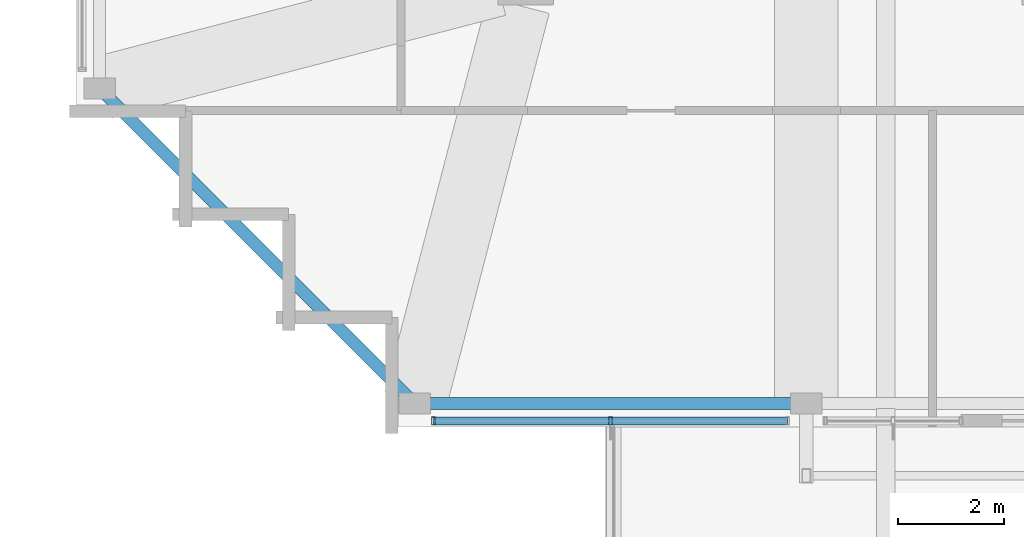
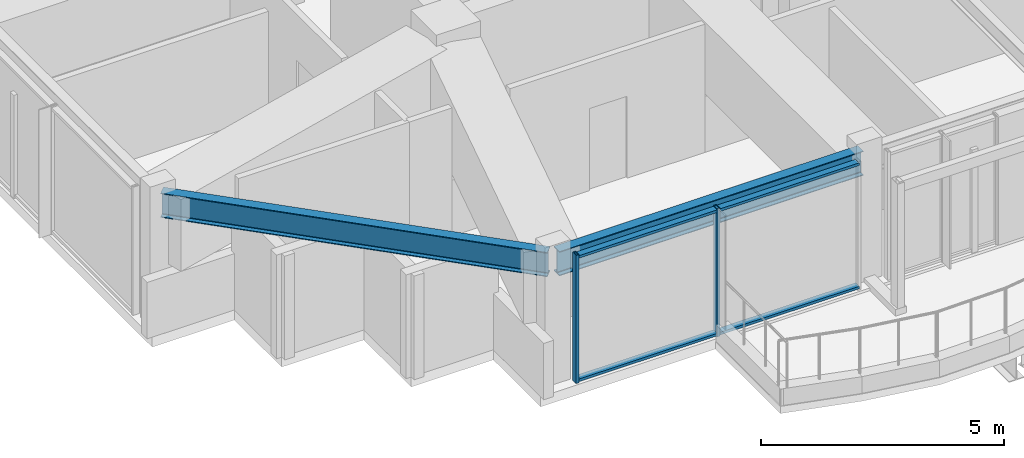
# One storey, part 2 of 30: 4 members, 2 beams, 1 element without a shape of its own.
"""IFC4 building model written with IfcOpenShell, lengths in metres."""

from ifc_helpers import new_model, si_unit, direction, frame, origin, origin_2d, place, context, subcontext, project, spatial, hollow_rectangle, i_section, extrude, material, material_profile, profile_set, type_object, element, aggregate, save


model = new_model("IFC4")

# Units and contexts
model_context = context("Model", 3, precision=1e-05, world=origin(), true_north=direction((0.0, 1.0)))
body_context = subcontext(model_context, "Body", "Model", "MODEL_VIEW")
ifc_project = project(units=[si_unit("LENGTHUNIT", "METRE"), si_unit("AREAUNIT", "SQUARE_METRE"), si_unit("VOLUMEUNIT", "CUBIC_METRE"), si_unit("PLANEANGLEUNIT", "RADIAN"), si_unit("MASSUNIT", "GRAM", prefix="KILO")], contexts=[model_context])

# Site, building, storey
site_placement = place(None, origin())
site = spatial("IfcSite", under=ifc_project, at=site_placement, CompositionType="ELEMENT")
building_placement = place(site_placement, origin())
building = spatial("IfcBuilding", under=site, at=building_placement, Name="Kolvaren Belvedere", CompositionType="ELEMENT")
storey_placement = place(building_placement, frame((0.0, 0.0, 254.89990234375)))
storey = spatial("IfcBuildingStorey", under=building, at=storey_placement, Name="L74", CompositionType="ELEMENT", Elevation=254.89990234375)

# Beams
ifc_material_1 = material(Name="Structural steel ASTM A992 Grade 50", Category="steel")
ifc_material_profile_1 = material_profile(ifc_material_1, i_section(OverallWidth=0.22900390625, OverallDepth=0.612060546875, WebThickness=0.011962890625, FlangeThickness=0.01953125, FilletRadius=0.01806640625, at=origin_2d()), Name="W24X84")
ifc_profile_set_1 = profile_set([ifc_material_profile_1], Name="Structural steel ASTM A992 Grade 50")
beam_type = type_object("IfcBeamType", Name="BM-SPAN-W24X84", PredefinedType="SPANDREL", material=ifc_profile_set_1)
beam_1_placement = place(storey_placement, frame((-11.909912109375, -17.949951171875, 2.9140625), z_axis=(1.0, 0.0, 0.0), x_axis=(0.0, 1.0, 0.0)))
element("IfcBeam", 1, at=beam_1_placement, inside=storey, type_object=beam_type, Name="L74 Perimeter Spandrel S1-S2", PredefinedType="SPANDREL", context=body_context, shape_type="SweptSolid", body=[
    extrude(i_section(OverallWidth=0.22900390625, OverallDepth=0.612060546875, WebThickness=0.011962890625, FlangeThickness=0.01953125, FilletRadius=0.01806640625, at=origin_2d()), origin(), (0.0, 0.0, 1.0), 7.219970703125),
])
beam_2_placement = place(storey_placement, frame((-17.886474609375, -12.063720703125, 2.9140625), z_axis=(0.707106781187, -0.707106781187, 0.0), x_axis=(0.707106781187, 0.707106781187, 0.0)))
element("IfcBeam", 2, at=beam_2_placement, inside=storey, type_object=beam_type, Name="L74 Perimeter Spandrel W1-S1", PredefinedType="SPANDREL", context=body_context, shape_type="SweptSolid", body=[
    extrude(i_section(OverallWidth=0.22900390625, OverallDepth=0.612060546875, WebThickness=0.011962890625, FlangeThickness=0.01953125, FilletRadius=0.01806640625, at=origin_2d()), origin(), (0.0, 0.0, 1.0), 8.234619140625),
])

# Curtain wall, members
ifc_material_2 = material(Name="Anodised pale-metal aluminium AA 6063-T6", Category="aluminium")
curtain_wall_type = type_object("IfcCurtainWallType", Name="CW-Z5-HIGH", PredefinedType="NOTDEFINED", material=ifc_material_2)
curtain_wall_placement = place(storey_placement, origin())
curtain_wall = element("IfcCurtainWall", 3, at=curtain_wall_placement, inside=storey, type_object=curtain_wall_type, Name="L74 Unitised Curtain Wall FCW-L74-S2-B2", PredefinedType="NOTDEFINED")
ifc_material_3 = material(Name="Anodised pale-metal aluminium AA 6063-T6", Category="aluminium")
ifc_material_profile_2 = material_profile(ifc_material_3, hollow_rectangle(XDim=0.070068359375, YDim=0.14990234375, WallThickness=0.004150390625, at=origin_2d()), Name="ALU-MUL-150X70")
ifc_profile_set_2 = profile_set([ifc_material_profile_2], Name="Anodised pale-metal aluminium AA 6063-T6")
member_type_1 = type_object("IfcMemberType", Name="CW-MUL-150", PredefinedType="MULLION", material=ifc_profile_set_2)
member_1_placement = place(storey_placement, frame((-8.300048828125, -18.280029296875, 0.0), z_axis=(0.0, 0.0, 1.0), x_axis=(1.0, 0.0, 0.0)))
member_1 = element("IfcMember", 4, at=member_1_placement, type_object=member_type_1, Name="FCW-L74-S2-B2 Unitised Mullion 2", PredefinedType="MULLION", context=body_context, shape_type="SweptSolid", body=[
    extrude(hollow_rectangle(XDim=0.070068359375, YDim=0.14990234375, WallThickness=0.004150390625, at=origin_2d()), origin(), (0.0, 0.0, 1.0), 3.22021484375),
])
member_2_placement = place(storey_placement, frame((-11.64501953125, -18.280029296875, 0.0), z_axis=(0.0, 0.0, 1.0), x_axis=(1.0, 0.0, 0.0)))
member_2 = element("IfcMember", 5, at=member_2_placement, type_object=member_type_1, Name="FCW-L74-S2-B2 Unitised Mullion 3", PredefinedType="MULLION", context=body_context, shape_type="SweptSolid", body=[
    extrude(hollow_rectangle(XDim=0.070068359375, YDim=0.14990234375, WallThickness=0.004150390625, at=origin_2d()), origin(), (0.0, 0.0, 1.0), 3.22021484375),
])
ifc_material_4 = material(Name="Anodised pale-metal aluminium AA 6063-T6", Category="aluminium")
ifc_material_profile_3 = material_profile(ifc_material_4, hollow_rectangle(XDim=0.06494140625, YDim=0.14990234375, WallThickness=0.00390625, at=origin_2d()), Name="ALU-TRN-150X65")
ifc_profile_set_3 = profile_set([ifc_material_profile_3], Name="Anodised pale-metal aluminium AA 6063-T6")
member_type_2 = type_object("IfcMemberType", Name="CW-TRN-150", PredefinedType="USERDEFINED", material=ifc_profile_set_3)
member_3_placement = place(storey_placement, frame((-4.955078125, -18.280029296875, 0.06005859375), z_axis=(-1.0, 0.0, 0.0), x_axis=(0.0, 0.0, 1.0)))
member_3 = element("IfcMember", 6, at=member_3_placement, type_object=member_type_2, Name="FCW-L74-S2-B2 Sill Transom", ObjectType="TRANSOM", PredefinedType="USERDEFINED", context=body_context, shape_type="SweptSolid", body=[
    extrude(hollow_rectangle(XDim=0.06494140625, YDim=0.14990234375, WallThickness=0.00390625, at=origin_2d()), origin(), (0.0, 0.0, 1.0), 6.68994140625),
])
member_4_placement = place(storey_placement, frame((-4.955078125, -18.280029296875, 3.16015625), z_axis=(-1.0, 0.0, 0.0), x_axis=(0.0, 0.0, 1.0)))
member_4 = element("IfcMember", 7, at=member_4_placement, type_object=member_type_2, Name="FCW-L74-S2-B2 Head Transom", ObjectType="TRANSOM", PredefinedType="USERDEFINED", context=body_context, shape_type="SweptSolid", body=[
    extrude(hollow_rectangle(XDim=0.06494140625, YDim=0.14990234375, WallThickness=0.00390625, at=origin_2d()), origin(), (0.0, 0.0, 1.0), 6.68994140625),
])
aggregate(curtain_wall, [member_1, member_2, member_3, member_4])

save(model, "model.ifc")
